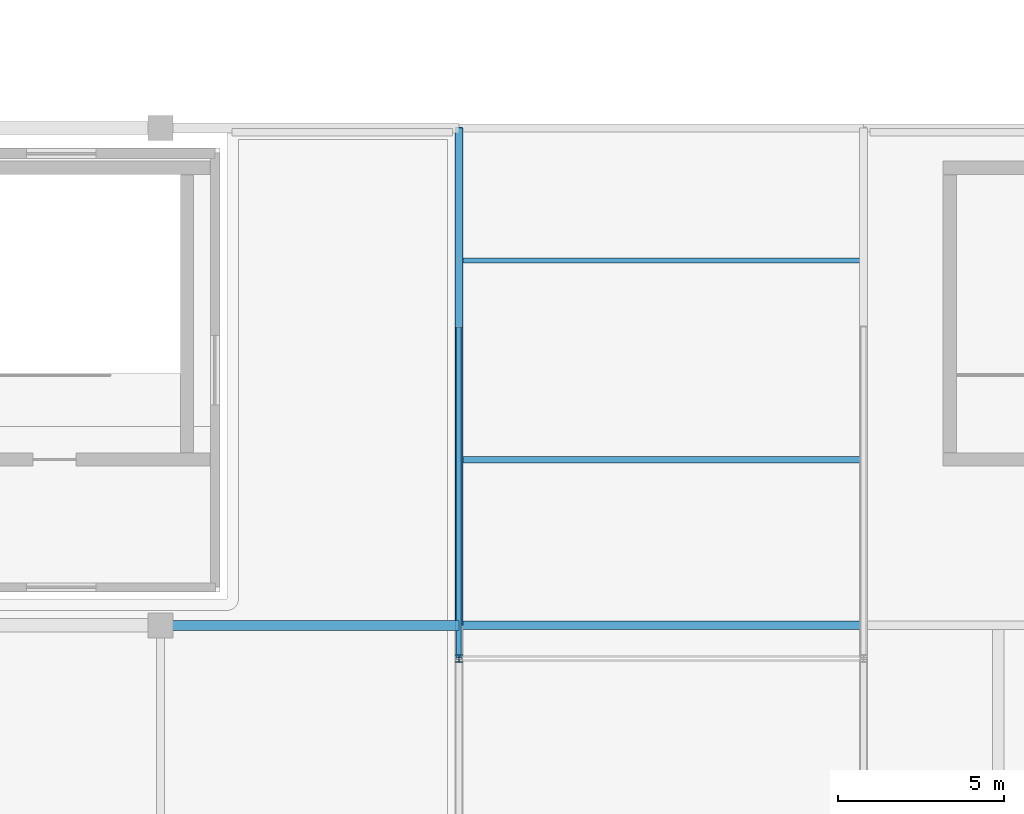
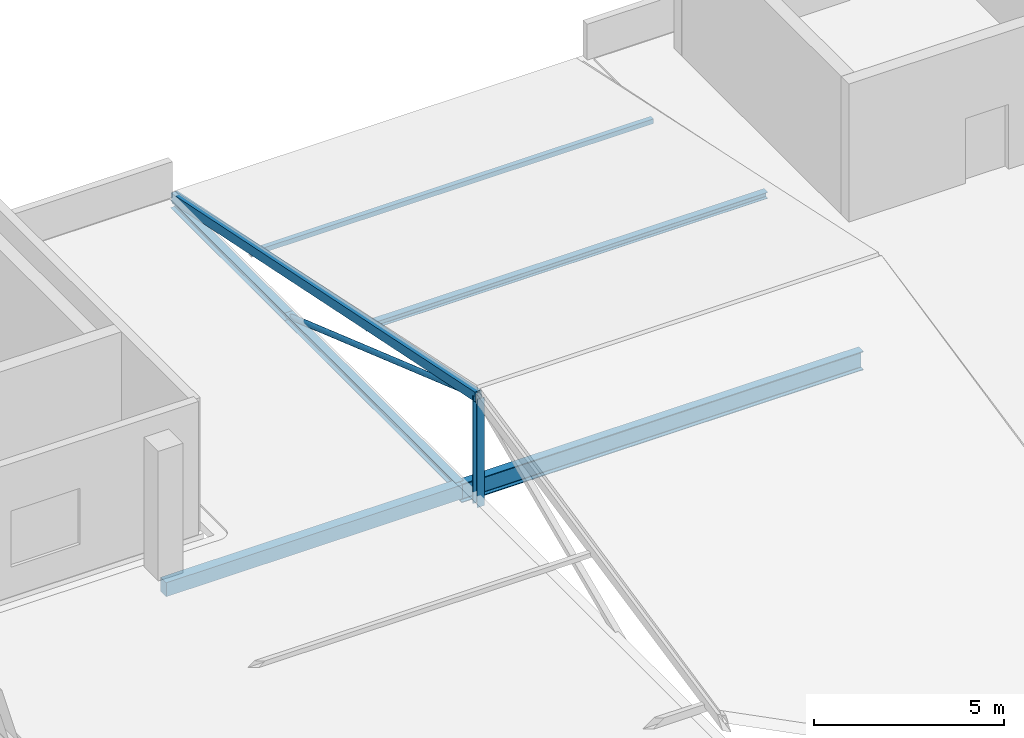
# One storey, part 37 of 85: 7 members, 2 beams.
"""IFC4 building model written with IfcOpenShell, lengths in metres."""

from ifc_helpers import new_model, si_unit, derived_unit, direction, frame, origin, origin_2d, place, context, subcontext, project, spatial, rectangle, hollow_rectangle, hollow_circle, i_section, extrude, material, material_profile, profile_set, type_object, element, save


model = new_model("IFC4")

# Units and contexts
model_context = context("Model", 3, precision=1e-05, world=origin(), true_north=direction((0.0, 1.0)))
body_context = subcontext(model_context, "Body", "Model", "MODEL_VIEW")
ifc_project = project(units=[si_unit("LENGTHUNIT", "METRE"), si_unit("AREAUNIT", "SQUARE_METRE"), si_unit("VOLUMEUNIT", "CUBIC_METRE"), si_unit("PLANEANGLEUNIT", "RADIAN"), si_unit("MASSUNIT", "GRAM", prefix="KILO"), derived_unit("THERMALTRANSMITTANCEUNIT", [(si_unit("POWERUNIT", "WATT"), 1), (si_unit("LENGTHUNIT", "METRE"), -2), (si_unit("THERMODYNAMICTEMPERATUREUNIT", "KELVIN"), -1)])], contexts=[model_context])

# Site, building, storey
site_placement = place(None, origin())
site = spatial("IfcSite", under=ifc_project, at=site_placement, CompositionType="ELEMENT")
building_placement = place(site_placement, origin())
building = spatial("IfcBuilding", under=site, at=building_placement, Name="Nallur Shell Playhouse", CompositionType="ELEMENT")
storey_placement = place(building_placement, frame((0.0, 0.0, 19.800048828125)))
storey = spatial("IfcBuildingStorey", under=building, at=storey_placement, Name="L05", CompositionType="ELEMENT", Elevation=19.800048828125)

# Beams
ifc_material_1 = material(Name="Concrete M35", Category="concrete")
ifc_material_profile_1 = material_profile(ifc_material_1, rectangle(XDim=0.300048828125, YDim=0.449951171875, at=origin_2d()), Name="RC 300x450")
ifc_profile_set_1 = profile_set([ifc_material_profile_1], Name="Concrete M35")
beam_type_1 = type_object("IfcBeamType", Name="BM-SPN-300x450", PredefinedType="SPANDREL", material=ifc_profile_set_1)
beam_1_placement = place(storey_placement, frame((126.39990234375, 41.0, -0.485107421875), z_axis=(1.0, 0.0, 0.0), x_axis=(0.0, 1.0, 0.0)))
element("IfcBeam", 1, at=beam_1_placement, inside=storey, type_object=beam_type_1, Name="L05 girder X-E-960", PredefinedType="SPANDREL", context=body_context, shape_type="SweptSolid", body=[
    extrude(rectangle(XDim=0.300048828125, YDim=0.449951171875, at=origin_2d()), origin(), (0.0, 0.0, 1.0), 9.0),
])
ifc_material_2 = material(Name="Steel E350", Category="steel")
ifc_material_profile_2 = material_profile(ifc_material_2, i_section(OverallWidth=0.25, OverallDepth=0.60009765625, WebThickness=0.01171875, FlangeThickness=0.023681640625, FilletRadius=0.01708984375, at=origin_2d()), Name="ISWB 600")
ifc_profile_set_2 = profile_set([ifc_material_profile_2], Name="Steel E350")
beam_type_2 = type_object("IfcBeamType", Name="BM-ST-ISWB600", PredefinedType="BEAM", material=ifc_profile_set_2)
beam_2_placement = place(storey_placement, frame((135.39990234375, 41.0, -0.56005859375), z_axis=(1.0, 0.0, 0.0), x_axis=(0.0, 1.0, 0.0)))
element("IfcBeam", 2, at=beam_2_placement, inside=storey, type_object=beam_type_2, Name="L05 girder X-E-961", PredefinedType="BEAM", context=body_context, shape_type="SweptSolid", body=[
    extrude(i_section(OverallWidth=0.25, OverallDepth=0.60009765625, WebThickness=0.01171875, FlangeThickness=0.023681640625, FilletRadius=0.01708984375, at=origin_2d()), origin(), (0.0, 0.0, 1.0), 12.2001953125),
])

# Members
ifc_material_3 = material(Name="Steel E250", Category="steel")
ifc_material_profile_3 = material_profile(ifc_material_3, i_section(OverallWidth=0.199951171875, OverallDepth=0.199951171875, WebThickness=0.0078125, FlangeThickness=0.009033203125, FilletRadius=0.009033203125, at=origin_2d()), Name="ISHB 200")
ifc_profile_set_3 = profile_set([ifc_material_profile_3], Name="Steel E250")
member_type_1 = type_object("IfcMemberType", Name="MB-PUR-ISHB200", PredefinedType="PURLIN", material=ifc_profile_set_3)
member_1_placement = place(storey_placement, frame((135.39990234375, 46.0, 1.70556640625), z_axis=(1.0, 0.0, 0.0), x_axis=(0.0, 1.0, 0.0)))
element("IfcMember", 3, at=member_1_placement, inside=storey, type_object=member_type_1, Name="Studio roof purlin PUR-ST-05", PredefinedType="PURLIN", context=body_context, shape_type="SweptSolid", body=[
    extrude(i_section(OverallWidth=0.199951171875, OverallDepth=0.199951171875, WebThickness=0.0078125, FlangeThickness=0.009033203125, FilletRadius=0.009033203125, at=origin_2d()), origin(), (0.0, 0.0, 1.0), 12.2001953125),
])
ifc_material_profile_4 = material_profile(ifc_material_3, hollow_rectangle(XDim=0.14990234375, YDim=0.14990234375, WallThickness=0.008056640625, at=origin_2d()), Name="SHS 150x150x8")
ifc_profile_set_4 = profile_set([ifc_material_profile_4], Name="Steel E250")
member_type_2 = type_object("IfcMemberType", Name="MB-PUR-SHS150", PredefinedType="PURLIN", material=ifc_profile_set_4)
member_2_placement = place(storey_placement, frame((135.39990234375, 52.0, 0.43017578125), z_axis=(1.0, 0.0, 0.0), x_axis=(0.0, 1.0, 0.0)))
element("IfcMember", 4, at=member_2_placement, inside=storey, type_object=member_type_2, Name="Studio roof purlin PUR-ST-06", PredefinedType="PURLIN", context=body_context, shape_type="SweptSolid", body=[
    extrude(hollow_rectangle(XDim=0.14990234375, YDim=0.14990234375, WallThickness=0.008056640625, at=origin_2d()), origin(), (0.0, 0.0, 1.0), 12.2001953125),
])
ifc_material_profile_5 = material_profile(ifc_material_2, hollow_rectangle(XDim=0.199951171875, YDim=0.300048828125, WallThickness=0.011962890625, at=origin_2d()), Name="RHS 300x200x12")
ifc_profile_set_5 = profile_set([ifc_material_profile_5], Name="Steel E350")
member_type_3 = type_object("IfcMemberType", Name="MB-TR-CHORD1", PredefinedType="CHORD", material=ifc_profile_set_5)
member_3_placement = place(storey_placement, frame((135.39990234375, 40.0, 3.100830078125), z_axis=(0.0, 0.979376403383, -0.202044204311), x_axis=(-1.0, 0.0, 0.0)))
element("IfcMember", 5, at=member_3_placement, inside=storey, type_object=member_type_3, Name="ROOF TRUSS Studio north top chord X=135.4", PredefinedType="CHORD", context=body_context, shape_type="SweptSolid", body=[
    extrude(hollow_rectangle(XDim=0.199951171875, YDim=0.300048828125, WallThickness=0.011962890625, at=origin_2d()), origin(), (0.0, 0.0, 1.0), 16.3369140625),
])
ifc_material_profile_6 = material_profile(ifc_material_2, i_section(OverallWidth=0.25, OverallDepth=0.25, WebThickness=0.0087890625, FlangeThickness=0.009765625, FilletRadius=0.010009765625, at=origin_2d()), Name="ISHB 250")
ifc_profile_set_6 = profile_set([ifc_material_profile_6], Name="Steel E350")
member_type_4 = type_object("IfcMemberType", Name="MB-TR-CHORD2", PredefinedType="CHORD", material=ifc_profile_set_6)
member_4_placement = place(storey_placement, frame((135.39990234375, 41.0, -0.380126953125), z_axis=(0.0, 1.0, 0.0), x_axis=(-1.0, 0.0, 0.0)))
element("IfcMember", 6, at=member_4_placement, inside=storey, type_object=member_type_4, Name="ROOF TRUSS Studio bottom chord X=135.4 (41.0-50.0)", PredefinedType="CHORD", context=body_context, shape_type="SweptSolid", body=[
    extrude(i_section(OverallWidth=0.25, OverallDepth=0.25, WebThickness=0.0087890625, FlangeThickness=0.009765625, FilletRadius=0.010009765625, at=origin_2d()), origin(), (0.0, 0.0, 1.0), 9.0),
])
member_5_placement = place(storey_placement, frame((135.39990234375, 50.0, -0.380126953125), z_axis=(0.0, 1.0, 0.0), x_axis=(-1.0, 0.0, 0.0)))
element("IfcMember", 7, at=member_5_placement, inside=storey, type_object=member_type_4, Name="ROOF TRUSS Studio bottom chord X=135.4 (50.0-56.0)", PredefinedType="CHORD", context=body_context, shape_type="SweptSolid", body=[
    extrude(i_section(OverallWidth=0.25, OverallDepth=0.25, WebThickness=0.0087890625, FlangeThickness=0.009765625, FilletRadius=0.010009765625, at=origin_2d()), origin(), (0.0, 0.0, 1.0), 6.0),
])
ifc_material_profile_7 = material_profile(ifc_material_2, i_section(OverallWidth=0.22509765625, OverallDepth=0.22509765625, WebThickness=0.008544921875, FlangeThickness=0.009033203125, FilletRadius=0.010009765625, at=origin_2d()), Name="ISHB 225")
ifc_profile_set_7 = profile_set([ifc_material_profile_7], Name="Steel E350")
member_type_5 = type_object("IfcMemberType", Name="MB-TR-POST", PredefinedType="POST", material=ifc_profile_set_7)
member_6_placement = place(storey_placement, frame((135.39990234375, 40.0, -0.380126953125), z_axis=(0.0, 0.0, 1.0), x_axis=(1.0, 0.0, 0.0)))
element("IfcMember", 8, at=member_6_placement, inside=storey, type_object=member_type_5, Name="ROOF TRUSS Studio king post X=135.4", PredefinedType="POST", context=body_context, shape_type="SweptSolid", body=[
    extrude(i_section(OverallWidth=0.22509765625, OverallDepth=0.22509765625, WebThickness=0.008544921875, FlangeThickness=0.009033203125, FilletRadius=0.010009765625, at=origin_2d()), origin(), (0.0, 0.0, 1.0), 3.48095703125),
])
ifc_material_profile_8 = material_profile(ifc_material_2, hollow_circle(Radius=0.084228515625, WallThickness=0.008056640625, at=origin_2d()), Name="CHS 168.3x8")
ifc_profile_set_8 = profile_set([ifc_material_profile_8], Name="Steel E350")
member_type_6 = type_object("IfcMemberType", Name="MB-TR-WEB3", PredefinedType="BRACE", material=ifc_profile_set_8)
member_7_placement = place(storey_placement, frame((135.39990234375, 50.0, -0.380126953125), z_axis=(0.0, -0.944417761002, 0.32874776456), x_axis=(1.0, 0.0, 0.0)))
element("IfcMember", 9, at=member_7_placement, inside=storey, type_object=member_type_6, Name="ROOF TRUSS Studio web diagonal 135.4.2", PredefinedType="BRACE", context=body_context, shape_type="SweptSolid", body=[
    extrude(hollow_circle(Radius=0.084228515625, WallThickness=0.008056640625, at=origin_2d()), origin(), (0.0, 0.0, 1.0), 10.588623046875),
])

save(model, "model.ifc")
